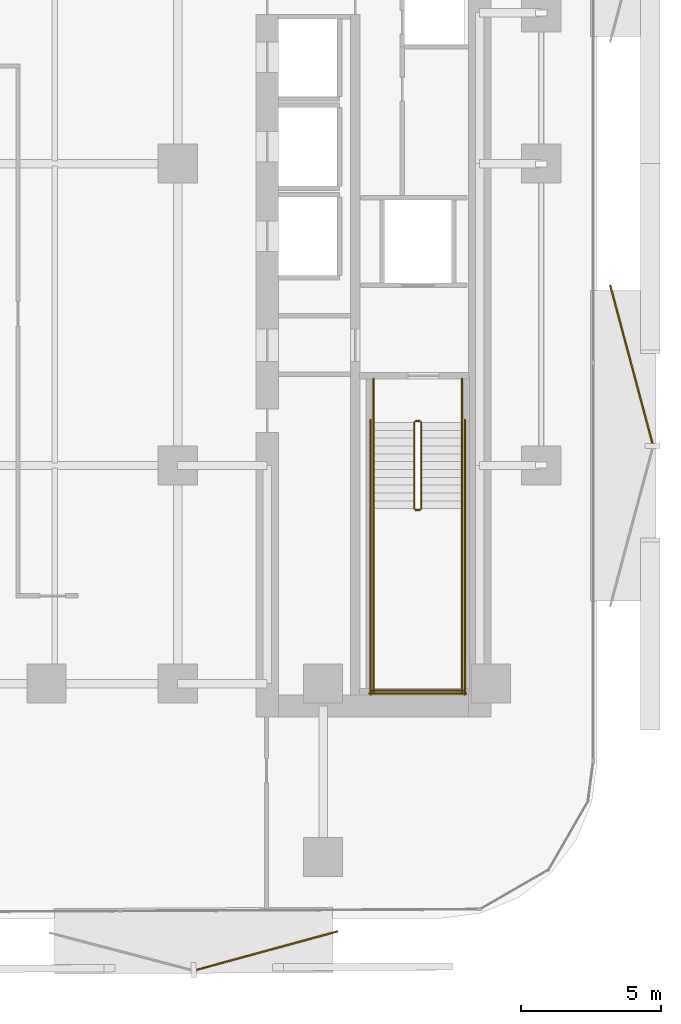
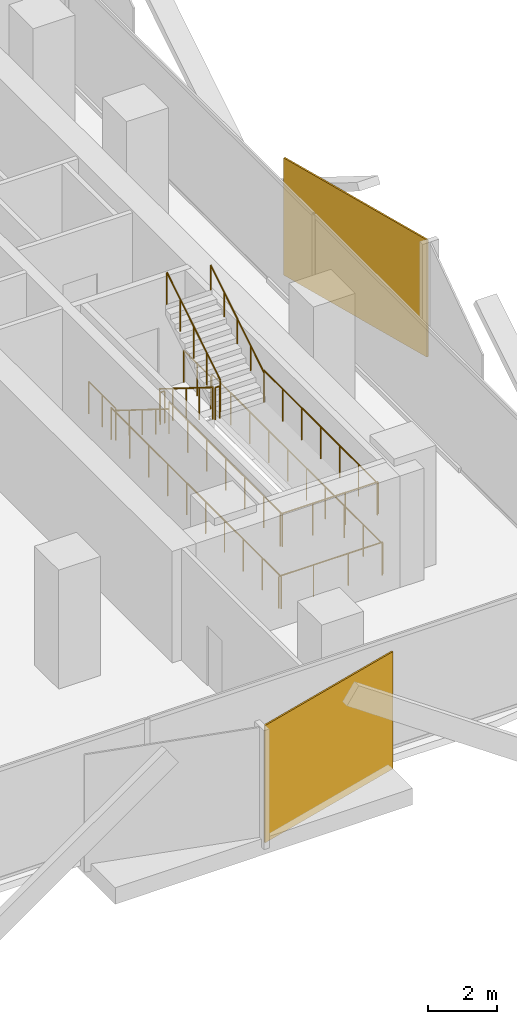
# One storey, part 12 of 14: 14 railings, 2 coverings.
"""IFC4 building model written with IfcOpenShell, lengths in metres."""

from ifc_helpers import new_model, si_unit, direction, frame, origin, origin_2d, place, context, subcontext, project, spatial, rectangle, circle, extrude, material, layer, layer_set, type_object, element, save


model = new_model("IFC4")

# Units and contexts
model_context = context("Model", 3, precision=1e-05, world=origin(), true_north=direction((0.0, 1.0)))
body_context = subcontext(model_context, "Body", "Model", "MODEL_VIEW")
ifc_project = project(units=[si_unit("LENGTHUNIT", "METRE"), si_unit("AREAUNIT", "SQUARE_METRE"), si_unit("VOLUMEUNIT", "CUBIC_METRE"), si_unit("PLANEANGLEUNIT", "RADIAN"), si_unit("MASSUNIT", "GRAM", prefix="KILO")], contexts=[model_context])

# Site, building, storey
site_placement = place(None, origin())
site = spatial("IfcSite", under=ifc_project, at=site_placement, CompositionType="ELEMENT")
building_placement = place(site_placement, origin())
building = spatial("IfcBuilding", under=site, at=building_placement, Name="Khairoan Windgate Tower", CompositionType="ELEMENT")
storey_placement = place(building_placement, frame((0.0, 0.0, 63.800048828125)))
storey = spatial("IfcBuildingStorey", under=building, at=storey_placement, Name="L15", CompositionType="ELEMENT", Elevation=63.800048828125)

# Coverings
ifc_material_1 = material(Name="Anodised Bronze Aluminium 6063-T6", Category="aluminium")
ifc_layer = layer(ifc_material_1, 0.054931640625, Name="Anodised Bronze Aluminium 6063-T6")
ifc_layer_set = layer_set([ifc_layer], Name="Anodised Bronze Aluminium 6063-T6")
covering_type = type_object("IfcCoveringType", Name="Perforated Bronze-Ceramic Folded Solar Screen Cladding BSC-1", PredefinedType="CLADDING", material=ifc_layer_set)
covering_1_placement = place(storey_placement, frame((12.39453125, -28.150390625, -0.10009765625), z_axis=(0.0, 0.0, 1.0), x_axis=(-0.964649468762, -0.263536339841, 0.0)))
element("IfcCovering", 1, at=covering_1_placement, inside=storey, type_object=covering_type, Name="L15 Folded Bronze Solar Screen Facet 73L", PredefinedType="CLADDING", context=body_context, shape_type="SweptSolid", body=[
    extrude(rectangle(XDim=5.25, YDim=0.054931640625, at=origin_2d()), origin(), (0.0, 0.0, 1.0), 4.139892578125),
])
covering_2_placement = place(storey_placement, frame((25.42236328125, -7.177734375, -0.10009765625), z_axis=(0.0, 0.0, 1.0), x_axis=(0.258819045103, -0.965925826289, 0.0)))
element("IfcCovering", 2, at=covering_2_placement, inside=storey, type_object=covering_type, Name="L15 Folded Bronze Solar Screen Facet 80L", PredefinedType="CLADDING", context=body_context, shape_type="SweptSolid", body=[
    extrude(rectangle(XDim=5.85498046875, YDim=0.054931640625, at=origin_2d()), origin(), (0.0, 0.0, 1.0), 4.139892578125),
])

# Railings
ifc_material_2 = material(Name="Anodised Bronze Aluminium 6063-T6", Category="aluminium")
railing_type_1 = type_object("IfcRailingType", Name="Stair Wall Handrail SHR-900", PredefinedType="HANDRAIL", material=ifc_material_2)
railing_1_placement = place(storey_placement, frame((16.199951171875, -9.260009765625, 0.175048828125)))
element("IfcRailing", 3, at=railing_1_placement, inside=storey, type_object=railing_type_1, Name="L15 ST1 stair handrail 1", PredefinedType="HANDRAIL", context=body_context, shape_type="SweptSolid", body=[
    extrude(circle(Radius=0.02392578125, at=origin_2d()), frame((0.0, 0.0, 0.8759765625), z_axis=(0.0, -0.848028513186, 0.529950602248), x_axis=(1.0, 0.0, 0.0)), (0.0, 0.0, 1.0), 3.632080078125),
    extrude(circle(Radius=0.02099609375, at=origin_2d()), origin(), (0.0, 0.0, 1.0), 0.851806640625),
    extrude(circle(Radius=0.02099609375, at=origin_2d()), frame((0.0, -0.77001953125, 0.481201171875)), (0.0, 0.0, 1.0), 0.851806640625),
    extrude(circle(Radius=0.02099609375, at=origin_2d()), frame((0.0, -1.5400390625, 0.96240234375)), (0.0, 0.0, 1.0), 0.851806640625),
    extrude(circle(Radius=0.02099609375, at=origin_2d()), frame((0.0, -2.31005859375, 1.443603515625)), (0.0, 0.0, 1.0), 0.851806640625),
    extrude(circle(Radius=0.02099609375, at=origin_2d()), frame((0.0, -3.080078125, 1.9248046875)), (0.0, 0.0, 1.0), 0.851806640625),
])
railing_2_placement = place(storey_placement, frame((19.3701171875, -12.340087890625, 2.27490234375)))
element("IfcRailing", 4, at=railing_2_placement, inside=storey, type_object=railing_type_1, Name="L15 ST1 stair handrail 2", PredefinedType="HANDRAIL", context=body_context, shape_type="SweptSolid", body=[
    extrude(circle(Radius=0.02392578125, at=origin_2d()), frame((0.0, 0.0, 0.8759765625), z_axis=(0.0, 0.847998304005, 0.529998940003), x_axis=(-1.0, 0.0, 0.0)), (0.0, 0.0, 1.0), 3.632080078125),
    extrude(circle(Radius=0.02099609375, at=origin_2d()), origin(), (0.0, 0.0, 1.0), 0.851806640625),
    extrude(circle(Radius=0.02099609375, at=origin_2d()), frame((0.0, 0.77001953125, 0.481201171875)), (0.0, 0.0, 1.0), 0.851806640625),
    extrude(circle(Radius=0.02099609375, at=origin_2d()), frame((0.0, 1.5400390625, 0.96240234375)), (0.0, 0.0, 1.0), 0.851806640625),
    extrude(circle(Radius=0.02099609375, at=origin_2d()), frame((0.0, 2.31005859375, 1.44384765625)), (0.0, 0.0, 1.0), 0.851806640625),
    extrude(circle(Radius=0.02099609375, at=origin_2d()), frame((0.0, 3.080078125, 1.925048828125)), (0.0, 0.0, 1.0), 0.851806640625),
])
ifc_material_3 = material(Name="Steel S355", Category="steel")
railing_type_2 = type_object("IfcRailingType", Name="Stairwell Safety Guardrail SGR-1150", PredefinedType="GUARDRAIL", material=ifc_material_3)
railing_3_placement = place(storey_placement, frame((17.659912109375, -9.260009765625, 0.175048828125)))
element("IfcRailing", 5, at=railing_3_placement, inside=storey, type_object=railing_type_2, Name="L15 ST1 stair guard 1", PredefinedType="GUARDRAIL", context=body_context, shape_type="SweptSolid", body=[
    extrude(circle(Radius=0.02392578125, at=origin_2d()), frame((0.0, 0.0, 1.1259765625), z_axis=(0.0, -0.848028513186, 0.529950602248), x_axis=(1.0, 0.0, 0.0)), (0.0, 0.0, 1.0), 3.632080078125),
    extrude(circle(Radius=0.02099609375, at=origin_2d()), origin(), (0.0, 0.0, 1.0), 1.101806640625),
    extrude(circle(Radius=0.02099609375, at=origin_2d()), frame((0.0, -0.77001953125, 0.481201171875)), (0.0, 0.0, 1.0), 1.101806640625),
    extrude(circle(Radius=0.02099609375, at=origin_2d()), frame((0.0, -1.5400390625, 0.96240234375)), (0.0, 0.0, 1.0), 1.101806640625),
    extrude(circle(Radius=0.02099609375, at=origin_2d()), frame((0.0, -2.31005859375, 1.443603515625)), (0.0, 0.0, 1.0), 1.101806640625),
    extrude(circle(Radius=0.02099609375, at=origin_2d()), frame((0.0, -3.080078125, 1.9248046875)), (0.0, 0.0, 1.0), 1.101806640625),
])
railing_4_placement = place(storey_placement, frame((17.7099609375, -12.389892578125, 2.099853515625)))
element("IfcRailing", 6, at=railing_4_placement, inside=storey, type_object=railing_type_2, Name="L15 ST1 stair guard 2", PredefinedType="GUARDRAIL", context=body_context, shape_type="SweptSolid", body=[
    extrude(circle(Radius=0.02392578125, at=origin_2d()), frame((0.0, 0.0, 1.1259765625), z_axis=(1.0, 0.0, 0.0), x_axis=(0.0, 1.0, 0.0)), (0.0, 0.0, 1.0), 0.150146484375),
    extrude(circle(Radius=0.02099609375, at=origin_2d()), origin(), (0.0, 0.0, 1.0), 1.101806640625),
    extrude(circle(Radius=0.02099609375, at=origin_2d()), frame((0.150146484375, 0.0, 0.0)), (0.0, 0.0, 1.0), 1.101806640625),
])
for number, where, name in (
    (7, (16.199951171875, -12.340087890625, 2.099853515625), "L15 ST1 stair guard 3"),
    (8, (19.3701171875, -12.340087890625, 2.099853515625), "L15 ST1 stair guard 4"),
):
    element("IfcRailing", number, at=place(storey_placement, frame(where)), inside=storey, type_object=railing_type_2, Name=name, PredefinedType="GUARDRAIL", context=body_context, shape_type="SweptSolid", body=[
        extrude(circle(Radius=0.02392578125, at=origin_2d()), frame((0.0, 0.0, 1.1259765625), z_axis=(0.0, -1.0, 0.0), x_axis=(1.0, 0.0, 0.0)), (0.0, 0.0, 1.0), 6.559814453125),
        extrude(circle(Radius=0.02099609375, at=origin_2d()), origin(), (0.0, 0.0, 1.0), 1.101806640625),
        extrude(circle(Radius=0.02099609375, at=origin_2d()), frame((0.0, -1.09326171875, 0.0)), (0.0, 0.0, 1.0), 1.101806640625),
        extrude(circle(Radius=0.02099609375, at=origin_2d()), frame((0.0, -2.1865234375, 0.0)), (0.0, 0.0, 1.0), 1.101806640625),
        extrude(circle(Radius=0.02099609375, at=origin_2d()), frame((0.0, -3.27978515625, 0.0)), (0.0, 0.0, 1.0), 1.101806640625),
        extrude(circle(Radius=0.02099609375, at=origin_2d()), frame((0.0, -4.373291015625, 0.0)), (0.0, 0.0, 1.0), 1.101806640625),
        extrude(circle(Radius=0.02099609375, at=origin_2d()), frame((0.0, -5.466552734375, 0.0)), (0.0, 0.0, 1.0), 1.101806640625),
        extrude(circle(Radius=0.02099609375, at=origin_2d()), frame((0.0, -6.559814453125, 0.0)), (0.0, 0.0, 1.0), 1.101806640625),
    ])
railing_5_placement = place(storey_placement, frame((16.14990234375, -18.85009765625, 2.099853515625)))
element("IfcRailing", 9, at=railing_5_placement, inside=storey, type_object=railing_type_2, Name="L15 ST1 stair guard 5", PredefinedType="GUARDRAIL", context=body_context, shape_type="SweptSolid", body=[
    extrude(circle(Radius=0.02392578125, at=origin_2d()), frame((0.0, 0.0, 1.1259765625), z_axis=(1.0, 0.0, 0.0), x_axis=(0.0, 1.0, 0.0)), (0.0, 0.0, 1.0), 3.27001953125),
    extrude(circle(Radius=0.02099609375, at=origin_2d()), origin(), (0.0, 0.0, 1.0), 1.101806640625),
    extrude(circle(Radius=0.02099609375, at=origin_2d()), frame((1.090087890625, 0.0, 0.0)), (0.0, 0.0, 1.0), 1.101806640625),
    extrude(circle(Radius=0.02099609375, at=origin_2d()), frame((2.179931640625, 0.0, 0.0)), (0.0, 0.0, 1.0), 1.101806640625),
    extrude(circle(Radius=0.02099609375, at=origin_2d()), frame((3.27001953125, 0.0, 0.0)), (0.0, 0.0, 1.0), 1.101806640625),
])
railing_6_placement = place(storey_placement, frame((17.909912109375, -12.340087890625, 2.27490234375)))
element("IfcRailing", 10, at=railing_6_placement, inside=storey, type_object=railing_type_2, Name="L15 ST1 stair guard 6", PredefinedType="GUARDRAIL", context=body_context, shape_type="SweptSolid", body=[
    extrude(circle(Radius=0.02392578125, at=origin_2d()), frame((0.0, 0.0, 1.1259765625), z_axis=(0.0, 0.847998304005, 0.529998940003), x_axis=(-1.0, 0.0, 0.0)), (0.0, 0.0, 1.0), 3.632080078125),
    extrude(circle(Radius=0.02099609375, at=origin_2d()), origin(), (0.0, 0.0, 1.0), 1.101806640625),
    extrude(circle(Radius=0.02099609375, at=origin_2d()), frame((0.0, 0.77001953125, 0.481201171875)), (0.0, 0.0, 1.0), 1.101806640625),
    extrude(circle(Radius=0.02099609375, at=origin_2d()), frame((0.0, 1.5400390625, 0.96240234375)), (0.0, 0.0, 1.0), 1.101806640625),
    extrude(circle(Radius=0.02099609375, at=origin_2d()), frame((0.0, 2.31005859375, 1.44384765625)), (0.0, 0.0, 1.0), 1.101806640625),
    extrude(circle(Radius=0.02099609375, at=origin_2d()), frame((0.0, 3.080078125, 1.925048828125)), (0.0, 0.0, 1.0), 1.101806640625),
])
railing_7_placement = place(storey_placement, frame((17.7099609375, -9.2099609375, 0.0)))
element("IfcRailing", 11, at=railing_7_placement, inside=storey, type_object=railing_type_2, Name="L15 ST1 stair guard 7", PredefinedType="GUARDRAIL", context=body_context, shape_type="SweptSolid", body=[
    extrude(circle(Radius=0.02392578125, at=origin_2d()), frame((0.0, 0.0, 1.1259765625), z_axis=(1.0, 0.0, 0.0), x_axis=(0.0, 1.0, 0.0)), (0.0, 0.0, 1.0), 0.150146484375),
    extrude(circle(Radius=0.02099609375, at=origin_2d()), origin(), (0.0, 0.0, 1.0), 1.101806640625),
    extrude(circle(Radius=0.02099609375, at=origin_2d()), frame((0.150146484375, 0.0, 0.0)), (0.0, 0.0, 1.0), 1.101806640625),
])
for number, where, name in (
    (12, (16.199951171875, -7.699951171875, 0.0), "L15 ST1 stair guard 8"),
    (13, (19.3701171875, -7.699951171875, 0.0), "L15 ST1 stair guard 9"),
):
    element("IfcRailing", number, at=place(storey_placement, frame(where)), inside=storey, type_object=railing_type_2, Name=name, PredefinedType="GUARDRAIL", context=body_context, shape_type="SweptSolid", body=[
        extrude(circle(Radius=0.02392578125, at=origin_2d()), frame((0.0, 0.0, 1.1259765625), z_axis=(0.0, -1.0, 0.0), x_axis=(1.0, 0.0, 0.0)), (0.0, 0.0, 1.0), 1.56005859375),
        extrude(circle(Radius=0.02099609375, at=origin_2d()), origin(), (0.0, 0.0, 1.0), 1.101806640625),
        extrude(circle(Radius=0.02099609375, at=origin_2d()), frame((0.0, -0.780029296875, 0.0)), (0.0, 0.0, 1.0), 1.101806640625),
        extrude(circle(Radius=0.02099609375, at=origin_2d()), frame((0.0, -1.56005859375, 0.0)), (0.0, 0.0, 1.0), 1.101806640625),
    ])
for number, where, name in (
    (14, (16.10009765625, -9.159912109375, 0.0), "L15 ST1 stair guard 10"),
    (15, (19.469970703125, -9.159912109375, 0.0), "L15 ST1 stair guard 11"),
):
    element("IfcRailing", number, at=place(storey_placement, frame(where)), inside=storey, type_object=railing_type_2, Name=name, PredefinedType="GUARDRAIL", context=body_context, shape_type="SweptSolid", body=[
        extrude(circle(Radius=0.02392578125, at=origin_2d()), frame((0.0, 0.0, 1.1259765625), z_axis=(0.0, -1.0, 0.0), x_axis=(1.0, 0.0, 0.0)), (0.0, 0.0, 1.0), 9.840087890625),
        extrude(circle(Radius=0.02099609375, at=origin_2d()), origin(), (0.0, 0.0, 1.0), 1.101806640625),
        extrude(circle(Radius=0.02099609375, at=origin_2d()), frame((0.0, -1.09326171875, 0.0)), (0.0, 0.0, 1.0), 1.101806640625),
        extrude(circle(Radius=0.02099609375, at=origin_2d()), frame((0.0, -2.186767578125, 0.0)), (0.0, 0.0, 1.0), 1.101806640625),
        extrude(circle(Radius=0.02099609375, at=origin_2d()), frame((0.0, -3.280029296875, 0.0)), (0.0, 0.0, 1.0), 1.101806640625),
        extrude(circle(Radius=0.02099609375, at=origin_2d()), frame((0.0, -4.373291015625, 0.0)), (0.0, 0.0, 1.0), 1.101806640625),
        extrude(circle(Radius=0.02099609375, at=origin_2d()), frame((0.0, -5.466796875, 0.0)), (0.0, 0.0, 1.0), 1.101806640625),
        extrude(circle(Radius=0.02099609375, at=origin_2d()), frame((0.0, -6.56005859375, 0.0)), (0.0, 0.0, 1.0), 1.101806640625),
        extrude(circle(Radius=0.02099609375, at=origin_2d()), frame((0.0, -7.6533203125, 0.0)), (0.0, 0.0, 1.0), 1.101806640625),
        extrude(circle(Radius=0.02099609375, at=origin_2d()), frame((0.0, -8.746826171875, 0.0)), (0.0, 0.0, 1.0), 1.101806640625),
        extrude(circle(Radius=0.02099609375, at=origin_2d()), frame((0.0, -9.840087890625, 0.0)), (0.0, 0.0, 1.0), 1.101806640625),
    ])
railing_8_placement = place(storey_placement, frame((16.050048828125, -18.949951171875, 0.0)))
element("IfcRailing", 16, at=railing_8_placement, inside=storey, type_object=railing_type_2, Name="L15 ST1 stair guard 12", PredefinedType="GUARDRAIL", context=body_context, shape_type="SweptSolid", body=[
    extrude(circle(Radius=0.02392578125, at=origin_2d()), frame((0.0, 0.0, 1.1259765625), z_axis=(1.0, 0.0, 0.0), x_axis=(0.0, 1.0, 0.0)), (0.0, 0.0, 1.0), 3.469970703125),
    extrude(circle(Radius=0.02099609375, at=origin_2d()), origin(), (0.0, 0.0, 1.0), 1.101806640625),
    extrude(circle(Radius=0.02099609375, at=origin_2d()), frame((1.15673828125, 0.0, 0.0)), (0.0, 0.0, 1.0), 1.101806640625),
    extrude(circle(Radius=0.02099609375, at=origin_2d()), frame((2.313232421875, 0.0, 0.0)), (0.0, 0.0, 1.0), 1.101806640625),
    extrude(circle(Radius=0.02099609375, at=origin_2d()), frame((3.469970703125, 0.0, 0.0)), (0.0, 0.0, 1.0), 1.101806640625),
])

save(model, "model.ifc")
